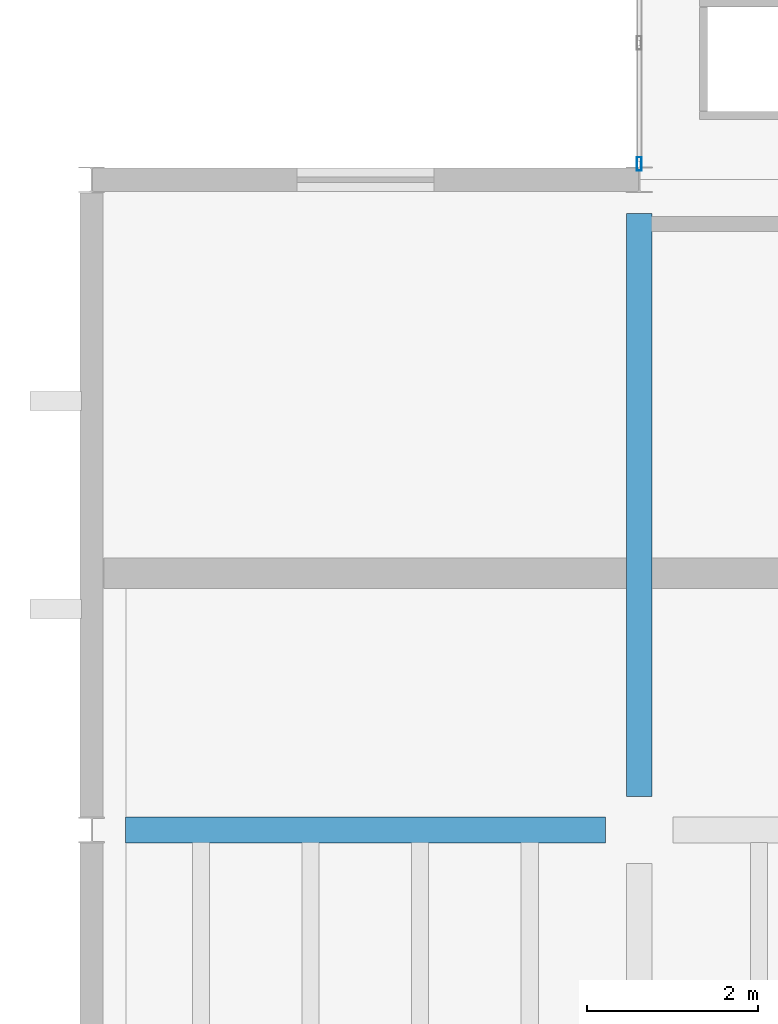
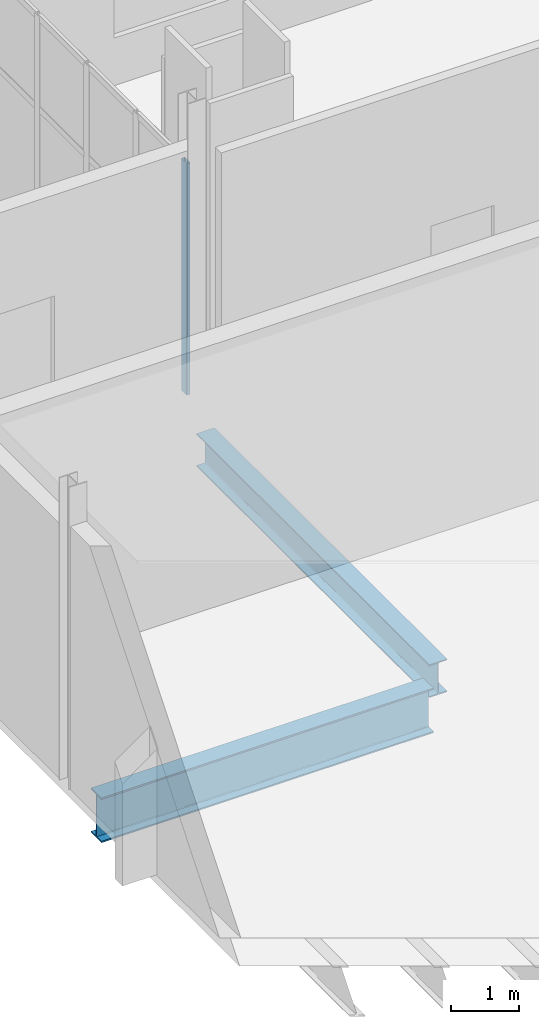
# One storey, part 22 of 95: 2 beams, 1 member, 1 element without a shape of its own.
"""IFC4 building model written with IfcOpenShell, lengths in metres."""

from ifc_helpers import new_model, si_unit, direction, frame, origin, origin_2d, place, context, subcontext, project, spatial, hollow_rectangle, i_section, extrude, material, material_profile, profile_set, type_object, element, aggregate, save


model = new_model("IFC4")

# Units and contexts
model_context = context("Model", 3, precision=1e-05, world=origin(), true_north=direction((0.0, 1.0)))
body_context = subcontext(model_context, "Body", "Model", "MODEL_VIEW")
ifc_project = project(units=[si_unit("LENGTHUNIT", "METRE"), si_unit("AREAUNIT", "SQUARE_METRE"), si_unit("VOLUMEUNIT", "CUBIC_METRE"), si_unit("PLANEANGLEUNIT", "RADIAN"), si_unit("MASSUNIT", "GRAM", prefix="KILO")], contexts=[model_context])

# Site, building, storey
site_placement = place(None, origin())
site = spatial("IfcSite", under=ifc_project, at=site_placement, CompositionType="ELEMENT")
building_placement = place(site_placement, origin())
building = spatial("IfcBuilding", under=site, at=building_placement, Name="Shengluoqiao Park Theatre", CompositionType="ELEMENT")
storey_placement = place(building_placement, origin())
storey = spatial("IfcBuildingStorey", under=building, at=storey_placement, Name="L00", CompositionType="ELEMENT", Elevation=0.0)

# Curtain wall, member
ifc_material_1 = material(Name="Aluminium 6063-T6", Category="aluminium")
curtain_wall_type = type_object("IfcCurtainWallType", Name="ENV-CW-COURT", PredefinedType="NOTDEFINED", material=ifc_material_1)
curtain_wall_placement = place(storey_placement, origin())
curtain_wall = element("IfcCurtainWall", 1, at=curtain_wall_placement, inside=storey, type_object=curtain_wall_type, Name="L00 Curtain Wall CWX-L00-0153", PredefinedType="NOTDEFINED")
ifc_material_profile_1 = material_profile(ifc_material_1, hollow_rectangle(XDim=0.06005859375, YDim=0.159912109375, WallThickness=0.00390625, InnerFilletRadius=0.00390625, OuterFilletRadius=0.008056640625, at=origin_2d()), Name="ALU MULLION 160x60x4")
ifc_profile_set_1 = profile_set([ifc_material_profile_1], Name="Aluminium 6063-T6")
member_type = type_object("IfcMemberType", Name="ENV-MUL-160", PredefinedType="MULLION", material=ifc_profile_set_1)
member_placement = place(storey_placement, frame((19.199951171875, 22.98388671875, 0.0), z_axis=(0.0, 0.0, 1.0), x_axis=(-1.0, 0.0, 0.0)))
member = element("IfcMember", 2, at=member_placement, type_object=member_type, Name="CW-05 mullion 1", PredefinedType="MULLION", context=body_context, shape_type="SweptSolid", body=[
    extrude(hollow_rectangle(XDim=0.06005859375, YDim=0.159912109375, WallThickness=0.00390625, InnerFilletRadius=0.00390625, OuterFilletRadius=0.008056640625, at=origin_2d()), origin(), (0.0, 0.0, 1.0), 4.137939453125),
])
aggregate(curtain_wall, [member])

# Beams
ifc_material_2 = material(Name="Steel Q355", Category="steel")
ifc_material_profile_2 = material_profile(ifc_material_2, i_section(OverallWidth=0.300048828125, OverallDepth=0.587890625, WebThickness=0.011962890625, FlangeThickness=0.02001953125, FilletRadius=0.02392578125, at=origin_2d()), Name="HM 588x300x12x20")
ifc_profile_set_2 = profile_set([ifc_material_profile_2], Name="Steel Q355")
beam_type_1 = type_object("IfcBeamType", Name="STR-BM-G-HM588", PredefinedType="BEAM", material=ifc_profile_set_2)
beam_1_placement = place(storey_placement, frame((19.199951171875, 15.593994140625, -0.634033203125), z_axis=(0.0, 1.0, 0.0), x_axis=(-1.0, 0.0, 0.0)))
element("IfcBeam", 3, at=beam_1_placement, inside=storey, type_object=beam_type_1, Name="L00 Transverse Girder 00197", PredefinedType="BEAM", context=body_context, shape_type="SweptSolid", body=[
    extrude(i_section(OverallWidth=0.300048828125, OverallDepth=0.587890625, WebThickness=0.011962890625, FlangeThickness=0.02001953125, FilletRadius=0.02392578125, at=origin_2d()), origin(), (0.0, 0.0, 1.0), 6.81201171875),
])
ifc_material_3 = material(Name="Steel Q390", Category="steel")
ifc_material_profile_3 = material_profile(ifc_material_3, i_section(OverallWidth=0.300048828125, OverallDepth=0.800048828125, WebThickness=0.013916015625, FlangeThickness=0.02587890625, FilletRadius=0.02587890625, at=origin_2d()), Name="HN 800x300x14x26")
ifc_profile_set_3 = profile_set([ifc_material_profile_3], Name="Steel Q390")
beam_type_2 = type_object("IfcBeamType", Name="STR-BM-G-HN800", PredefinedType="BEAM", material=ifc_profile_set_3)
beam_2_placement = place(storey_placement, frame((13.194091796875, 15.199951171875, -0.739990234375), z_axis=(1.0, 0.0, 0.0), x_axis=(0.0, 1.0, 0.0)))
element("IfcBeam", 4, at=beam_2_placement, inside=storey, type_object=beam_type_2, Name="L00 Primary Girder 00193", PredefinedType="BEAM", context=body_context, shape_type="SweptSolid", body=[
    extrude(i_section(OverallWidth=0.300048828125, OverallDepth=0.800048828125, WebThickness=0.013916015625, FlangeThickness=0.02587890625, FilletRadius=0.02587890625, at=origin_2d()), origin(), (0.0, 0.0, 1.0), 5.61181640625),
])

save(model, "model.ifc")
